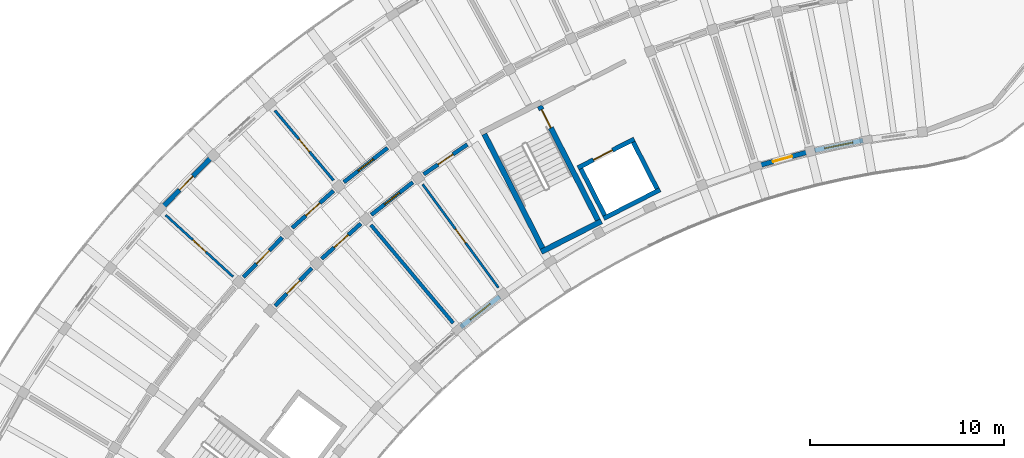
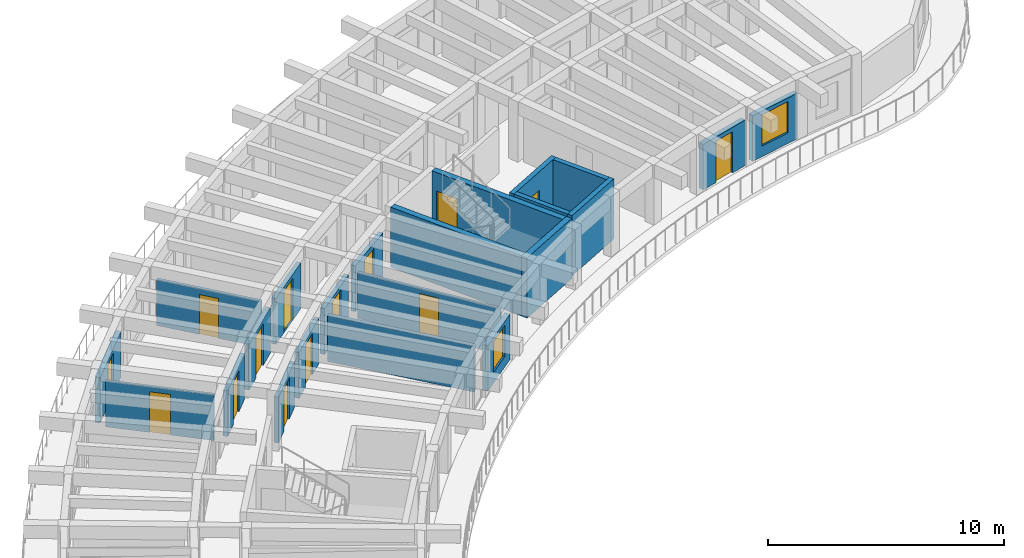
# One storey, part 27 of 56: 22 walls, 14 doors, 2 windows, 16 openings.
"""IFC4 building model written with IfcOpenShell, lengths in metres."""

from ifc_helpers import new_model, si_unit, direction, frame, frame_2d, origin, place, context, subcontext, project, spatial, rectangle, extrude, material, layer, layer_set, type_object, element, fill, save


model = new_model("IFC4")

# Units and contexts
model_context = context("Model", 3, precision=1e-05, world=origin(), true_north=direction((0.0, 1.0)))
body_context = subcontext(model_context, "Body", "Model", "MODEL_VIEW")
ifc_project = project(units=[si_unit("LENGTHUNIT", "METRE"), si_unit("AREAUNIT", "SQUARE_METRE"), si_unit("VOLUMEUNIT", "CUBIC_METRE"), si_unit("PLANEANGLEUNIT", "RADIAN"), si_unit("MASSUNIT", "GRAM", prefix="KILO")], contexts=[model_context])

# Site, building, storey
site_placement = place(None, origin())
site = spatial("IfcSite", under=ifc_project, at=site_placement, CompositionType="ELEMENT")
building_placement = place(site_placement, origin())
building = spatial("IfcBuilding", under=site, at=building_placement, Name="Tanwirah Colonnade Gardens", CompositionType="ELEMENT")
storey_placement = place(building_placement, frame((0.0, 0.0, 29.0)))
storey = spatial("IfcBuildingStorey", under=building, at=storey_placement, Name="L08", CompositionType="ELEMENT", Elevation=29.0)

# Wall, opening, window
ifc_material_1 = material(Name="Limestone architectural precast concrete C40/50", Category="masonry")
ifc_layer_1 = layer(ifc_material_1, 0.2451171875)
ifc_layer_set_1 = layer_set([ifc_layer_1], Name="Limestone architectural precast concrete C40/50")
wall_type_1 = type_object("IfcWallType", Name="EW-PC245", PredefinedType="SOLIDWALL", material=ifc_layer_set_1)
wall_1_placement = place(storey_placement, frame((57.28955078125, 103.970947265625, 0.0), z_axis=(0.0, 0.0, 1.0), x_axis=(-0.979344333802, -0.20219959409, 0.0)))
wall_1 = element("IfcWall", 1, at=wall_1_placement, inside=storey, type_object=wall_type_1, Name="Block A L08 IN Precast Facade Wall 1", PredefinedType="SOLIDWALL", context=body_context, shape_type="SweptSolid", body=[
    extrude(rectangle(XDim=2.545166015625, YDim=0.2451171875, at=frame_2d((1.2724609375, 0.0))), origin(), (0.0, 0.0, 1.0), 2.35498046875),
])
opening_1_placement = place(wall_1_placement, frame((0.53271484375, 0.0, 0.550048828125)))
opening_1 = element("IfcOpeningElement", 2, at=opening_1_placement, cuts=wall_1, Name="Opening WIN-T19", PredefinedType="OPENING", context=body_context, shape_type="SweptSolid", body=[
    extrude(rectangle(XDim=1.47998046875, YDim=1.6201171875, at=frame_2d((0.739990234375, 0.81005859375))), frame((0.0, 0.132568359375, 0.0), z_axis=(0.0, -1.0, 0.0), x_axis=(1.0, 0.0, 0.0)), (0.0, 0.0, 1.0), 0.26513671875),
])
ifc_material_2 = material(Name="Thermally broken bronze aluminium and solar low-E double glazing", Category="aluminium")
window_type_1 = type_object("IfcWindowType", Name="WIN-T19", PartitioningType="DOUBLE_PANEL_VERTICAL", PredefinedType="WINDOW", material=ifc_material_2)
window_1_placement = place(opening_1_placement, origin())
window_1 = element("IfcWindow", 3, at=window_1_placement, inside=storey, type_object=window_type_1, Name="Facade window A-L08-IN-01", OverallHeight=1.6201171875, OverallWidth=1.47998046875, PartitioningType="SINGLE_PANEL", PredefinedType="WINDOW", context=body_context, shape_type="SweptSolid", body=[
    extrude(rectangle(XDim=1.47998046875, YDim=1.6201171875, at=frame_2d((0.739990234375, 0.81005859375))), frame((0.0, 0.030029296875, 0.0), z_axis=(0.0, -1.0, 0.0), x_axis=(1.0, 0.0, 0.0)), (0.0, 0.0, 1.0), 0.06005859375),
])
fill(opening_1, window_1)

# Wall, opening, door
wall_2_placement = place(storey_placement, frame((54.369384765625, 103.353271484375, 0.0), z_axis=(0.0, 0.0, 1.0), x_axis=(-0.963872968618, -0.26636234788, 0.0)))
wall_2 = element("IfcWall", 4, at=wall_2_placement, inside=storey, type_object=wall_type_1, Name="Block A L08 IN Precast Facade Wall 2", PredefinedType="SOLIDWALL", context=body_context, shape_type="SweptSolid", body=[
    extrude(rectangle(XDim=2.54541015625, YDim=0.2451171875, at=frame_2d((1.272705078125, 0.0))), origin(), (0.0, 0.0, 1.0), 2.35498046875),
])
opening_2_placement = place(wall_2_placement, frame((0.7626953125, 0.0, 0.0)))
opening_2 = element("IfcOpeningElement", 5, at=opening_2_placement, cuts=wall_2, Name="Opening L08-ED037", PredefinedType="OPENING", context=body_context, shape_type="SweptSolid", body=[
    extrude(rectangle(XDim=1.02001953125, YDim=2.139892578125, at=frame_2d((0.510009765625, 1.06982421875))), frame((0.0, 0.132568359375, 0.0), z_axis=(0.0, -1.0, 0.0), x_axis=(1.0, 0.0, 0.0)), (0.0, 0.0, 1.0), 0.26513671875),
])
ifc_material_3 = material(Name="Bronze aluminium glazed balcony door", Category="aluminium")
door_type_1 = type_object("IfcDoorType", Name="ED-BAL102", OperationType="NOTDEFINED", PredefinedType="DOOR", material=ifc_material_3)
door_1_placement = place(opening_2_placement, origin())
door_1 = element("IfcDoor", 6, at=door_1_placement, inside=storey, type_object=door_type_1, Name="Balcony glazed door L08-ED037", OperationType="SINGLE_SWING_LEFT", OverallHeight=2.139892578125, OverallWidth=1.02001953125, PredefinedType="DOOR", context=body_context, shape_type="SweptSolid", body=[
    extrude(rectangle(XDim=1.02001953125, YDim=2.139892578125, at=frame_2d((0.510009765625, 1.06982421875))), frame((0.0, 0.02490234375, 0.0), z_axis=(0.0, -1.0, 0.0), x_axis=(1.0, 0.0, 0.0)), (0.0, 0.0, 1.0), 0.050048828125),
])
fill(opening_2, door_1)

# Wall, opening, window
wall_3_placement = place(storey_placement, frame((38.560546875, 95.92333984375, 0.0), z_axis=(0.0, 0.0, 1.0), x_axis=(-0.786840630754, -0.617156237751, 0.0)))
wall_3 = element("IfcWall", 7, at=wall_3_placement, inside=storey, type_object=wall_type_1, Name="Block A L08 IN Precast Facade Wall 8", PredefinedType="SOLIDWALL", context=body_context, shape_type="SweptSolid", body=[
    extrude(rectangle(XDim=2.545166015625, YDim=0.2451171875, at=frame_2d((1.2724609375, 0.0))), origin(), (0.0, 0.0, 1.0), 2.35498046875),
])
opening_3_placement = place(wall_3_placement, frame((0.62255859375, 0.0, 0.550048828125)))
opening_3 = element("IfcOpeningElement", 8, at=opening_3_placement, cuts=wall_3, Name="Opening WIN-T04", PredefinedType="OPENING", context=body_context, shape_type="SweptSolid", body=[
    extrude(rectangle(XDim=1.300048828125, YDim=1.60009765625, at=frame_2d((0.64990234375, 0.800048828125))), frame((0.0, 0.132568359375, 0.0), z_axis=(0.0, -1.0, 0.0), x_axis=(1.0, 0.0, 0.0)), (0.0, 0.0, 1.0), 0.26513671875),
])
window_type_2 = type_object("IfcWindowType", Name="WIN-T04", PartitioningType="DOUBLE_PANEL_VERTICAL", PredefinedType="WINDOW", material=ifc_material_2)
window_2_placement = place(opening_3_placement, origin())
window_2 = element("IfcWindow", 9, at=window_2_placement, inside=storey, type_object=window_type_2, Name="Facade window A-L08-IN-08", OverallHeight=1.60009765625, OverallWidth=1.300048828125, PartitioningType="SINGLE_PANEL", PredefinedType="WINDOW", context=body_context, shape_type="SweptSolid", body=[
    extrude(rectangle(XDim=1.300048828125, YDim=1.60009765625, at=frame_2d((0.64990234375, 0.800048828125))), frame((0.0, 0.030029296875, 0.0), z_axis=(0.0, -1.0, 0.0), x_axis=(1.0, 0.0, 0.0)), (0.0, 0.0, 1.0), 0.06005859375),
])
fill(opening_3, window_2)

# Wall, opening, door
wall_4_placement = place(storey_placement, frame((23.645751953125, 103.03955078125, 0.0), z_axis=(0.0, 0.0, 1.0), x_axis=(-0.698819119584, -0.715298425906, 0.0)))
wall_4 = element("IfcWall", 10, at=wall_4_placement, inside=storey, type_object=wall_type_1, Name="Block A L08 OUT Precast Facade Wall 10", PredefinedType="SOLIDWALL", context=body_context, shape_type="SweptSolid", body=[
    extrude(rectangle(XDim=3.540771484375, YDim=0.2451171875, at=frame_2d((1.7705078125, 0.0))), origin(), (0.0, 0.0, 1.0), 2.35498046875),
])
opening_4_placement = place(wall_4_placement, frame((1.2802734375, 0.0, 0.0)))
opening_4 = element("IfcOpeningElement", 11, at=opening_4_placement, cuts=wall_4, Name="Opening L08-ED039", PredefinedType="OPENING", context=body_context, shape_type="SweptSolid", body=[
    extrude(rectangle(XDim=0.97998046875, YDim=2.1201171875, at=frame_2d((0.489990234375, 1.06005859375))), frame((0.0, 0.132568359375, 0.0), z_axis=(0.0, -1.0, 0.0), x_axis=(1.0, 0.0, 0.0)), (0.0, 0.0, 1.0), 0.26513671875),
])
door_type_2 = type_object("IfcDoorType", Name="ED-BAL098", OperationType="NOTDEFINED", PredefinedType="DOOR", material=ifc_material_3)
door_2_placement = place(opening_4_placement, origin())
door_2 = element("IfcDoor", 12, at=door_2_placement, inside=storey, type_object=door_type_2, Name="Balcony glazed door L08-ED039", OperationType="SINGLE_SWING_LEFT", OverallHeight=2.1201171875, OverallWidth=0.97998046875, PredefinedType="DOOR", context=body_context, shape_type="SweptSolid", body=[
    extrude(rectangle(XDim=0.97998046875, YDim=2.1201171875, at=frame_2d((0.489990234375, 1.06005859375))), frame((0.0, 0.02490234375, 0.0), z_axis=(0.0, -1.0, 0.0), x_axis=(1.0, 0.0, 0.0)), (0.0, 0.0, 1.0), 0.050048828125),
])
fill(opening_4, door_2)

ifc_material_4 = material(Name="Precast concrete C40/50", Category="concrete")
ifc_layer_2 = layer(ifc_material_4, 0.205078125)
ifc_layer_set_2 = layer_set([ifc_layer_2], Name="Precast concrete C40/50")
wall_type_2 = type_object("IfcWallType", Name="IW-CORR205", PredefinedType="PARTITIONING", material=ifc_layer_set_2)
wall_5_placement = place(storey_placement, frame((36.89453125, 103.759521484375, 0.0), z_axis=(0.0, 0.0, 1.0), x_axis=(-0.825752009056, -0.56403334967, 0.0)))
wall_5 = element("IfcWall", 13, at=wall_5_placement, inside=storey, type_object=wall_type_2, Name="Block A L08 IN Corridor Wall 7", PredefinedType="PARTITIONING", context=body_context, shape_type="SweptSolid", body=[
    extrude(rectangle(XDim=2.71826171875, YDim=0.205078125, at=frame_2d((1.359130859375, 0.0))), origin(), (0.0, 0.0, 1.0), 2.3701171875),
])
opening_5_placement = place(wall_5_placement, frame((0.89404296875, 0.0, 0.0)))
opening_5 = element("IfcOpeningElement", 14, at=opening_5_placement, cuts=wall_5, Name="Opening L08-AD573", PredefinedType="OPENING", context=body_context, shape_type="SweptSolid", body=[
    extrude(rectangle(XDim=0.929931640625, YDim=2.1201171875, at=frame_2d((0.46484375, 1.06005859375))), frame((0.0, 0.112548828125, 0.0), z_axis=(0.0, -1.0, 0.0), x_axis=(1.0, 0.0, 0.0)), (0.0, 0.0, 1.0), 0.22509765625),
])
ifc_material_5 = material(Name="Solid oak fire-resisting apartment entrance door")
door_type_3 = type_object("IfcDoorType", Name="ID-FLT093", OperationType="NOTDEFINED", PredefinedType="DOOR", material=ifc_material_5)
door_3_placement = place(opening_5_placement, origin())
door_3 = element("IfcDoor", 15, at=door_3_placement, inside=storey, type_object=door_type_3, Name="Apartment corridor door L08-AD573", OperationType="SINGLE_SWING_LEFT", OverallHeight=2.1201171875, OverallWidth=0.929931640625, PredefinedType="DOOR", context=body_context, shape_type="SweptSolid", body=[
    extrude(rectangle(XDim=0.929931640625, YDim=2.1201171875, at=frame_2d((0.46484375, 1.06005859375))), frame((0.0, 0.02490234375, 0.0), z_axis=(0.0, -1.0, 0.0), x_axis=(1.0, 0.0, 0.0)), (0.0, 0.0, 1.0), 0.050048828125),
])
fill(opening_5, door_3)

wall_6_placement = place(storey_placement, frame((32.785400390625, 103.587890625, 0.0), z_axis=(0.0, 0.0, 1.0), x_axis=(-0.786806323554, -0.617199975061, 0.0)))
wall_6 = element("IfcWall", 16, at=wall_6_placement, inside=storey, type_object=wall_type_2, Name="Block A L08 OUT Corridor Wall 8", PredefinedType="PARTITIONING", context=body_context, shape_type="SweptSolid", body=[
    extrude(rectangle(XDim=2.863037109375, YDim=0.205078125, at=frame_2d((1.431640625, 0.0))), origin(), (0.0, 0.0, 1.0), 2.3701171875),
])
opening_6_placement = place(wall_6_placement, frame((0.9365234375, 0.0, 0.0)))
opening_6 = element("IfcOpeningElement", 17, at=opening_6_placement, cuts=wall_6, Name="Opening L08-AD575", PredefinedType="OPENING", context=body_context, shape_type="SweptSolid", body=[
    extrude(rectangle(XDim=0.989990234375, YDim=2.159912109375, at=frame_2d((0.4951171875, 1.080078125))), frame((0.0, 0.112548828125, 0.0), z_axis=(0.0, -1.0, 0.0), x_axis=(1.0, 0.0, 0.0)), (0.0, 0.0, 1.0), 0.22509765625),
])
door_type_4 = type_object("IfcDoorType", Name="ID-FLT099", OperationType="NOTDEFINED", PredefinedType="DOOR", material=ifc_material_5)
door_4_placement = place(opening_6_placement, origin())
door_4 = element("IfcDoor", 18, at=door_4_placement, inside=storey, type_object=door_type_4, Name="Apartment corridor door L08-AD575", OperationType="SINGLE_SWING_LEFT", OverallHeight=2.159912109375, OverallWidth=0.989990234375, PredefinedType="DOOR", context=body_context, shape_type="SweptSolid", body=[
    extrude(rectangle(XDim=0.989990234375, YDim=2.159912109375, at=frame_2d((0.4951171875, 1.080078125))), frame((0.0, 0.02490234375, 0.0), z_axis=(0.0, -1.0, 0.0), x_axis=(1.0, 0.0, 0.0)), (0.0, 0.0, 1.0), 0.050048828125),
])
fill(opening_6, door_4)

wall_7_placement = place(storey_placement, frame((34.08544921875, 101.81298828125, 0.0), z_axis=(0.0, 0.0, 1.0), x_axis=(-0.786835457019, -0.617162833924, 0.0)))
wall_7 = element("IfcWall", 19, at=wall_7_placement, inside=storey, type_object=wall_type_2, Name="Block A L08 IN Corridor Wall 8", PredefinedType="PARTITIONING", context=body_context, shape_type="SweptSolid", body=[
    extrude(rectangle(XDim=2.718017578125, YDim=0.205078125, at=frame_2d((1.35888671875, 0.0))), origin(), (0.0, 0.0, 1.0), 2.3701171875),
])
opening_7_placement = place(wall_7_placement, frame((0.864013671875, 0.0, 0.0)))
opening_7 = element("IfcOpeningElement", 20, at=opening_7_placement, cuts=wall_7, Name="Opening L08-AD576", PredefinedType="OPENING", context=body_context, shape_type="SweptSolid", body=[
    extrude(rectangle(XDim=0.989990234375, YDim=2.159912109375, at=frame_2d((0.4951171875, 1.080078125))), frame((0.0, 0.112548828125, 0.0), z_axis=(0.0, -1.0, 0.0), x_axis=(1.0, 0.0, 0.0)), (0.0, 0.0, 1.0), 0.22509765625),
])
door_5_placement = place(opening_7_placement, origin())
door_5 = element("IfcDoor", 21, at=door_5_placement, inside=storey, type_object=door_type_4, Name="Apartment corridor door L08-AD576", OperationType="SINGLE_SWING_RIGHT", OverallHeight=2.159912109375, OverallWidth=0.989990234375, PredefinedType="DOOR", context=body_context, shape_type="SweptSolid", body=[
    extrude(rectangle(XDim=0.989990234375, YDim=2.159912109375, at=frame_2d((0.4951171875, 1.080078125))), frame((0.0, 0.02490234375, 0.0), z_axis=(0.0, -1.0, 0.0), x_axis=(1.0, 0.0, 0.0)), (0.0, 0.0, 1.0), 0.050048828125),
])
fill(opening_7, door_5)

wall_8_placement = place(storey_placement, frame((29.996826171875, 101.37109375, 0.0), z_axis=(0.0, 0.0, 1.0), x_axis=(-0.744433521088, -0.667696587291, 0.0)))
wall_8 = element("IfcWall", 22, at=wall_8_placement, inside=storey, type_object=wall_type_2, Name="Block A L08 OUT Corridor Wall 9", PredefinedType="PARTITIONING", context=body_context, shape_type="SweptSolid", body=[
    extrude(rectangle(XDim=2.86328125, YDim=0.205078125, at=frame_2d((1.431640625, 0.0))), origin(), (0.0, 0.0, 1.0), 2.3701171875),
])
opening_8_placement = place(wall_8_placement, frame((0.946533203125, 0.0, 0.0)))
opening_8 = element("IfcOpeningElement", 23, at=opening_8_placement, cuts=wall_8, Name="Opening L08-AD578", PredefinedType="OPENING", context=body_context, shape_type="SweptSolid", body=[
    extrude(rectangle(XDim=0.969970703125, YDim=2.14990234375, at=frame_2d((0.48486328125, 1.074951171875))), frame((0.0, 0.112548828125, 0.0), z_axis=(0.0, -1.0, 0.0), x_axis=(1.0, 0.0, 0.0)), (0.0, 0.0, 1.0), 0.22509765625),
])
door_type_5 = type_object("IfcDoorType", Name="ID-FLT097", OperationType="NOTDEFINED", PredefinedType="DOOR", material=ifc_material_5)
door_6_placement = place(opening_8_placement, origin())
door_6 = element("IfcDoor", 24, at=door_6_placement, inside=storey, type_object=door_type_5, Name="Apartment corridor door L08-AD578", OperationType="SINGLE_SWING_RIGHT", OverallHeight=2.14990234375, OverallWidth=0.969970703125, PredefinedType="DOOR", context=body_context, shape_type="SweptSolid", body=[
    extrude(rectangle(XDim=0.969970703125, YDim=2.14990234375, at=frame_2d((0.48486328125, 1.074951171875))), frame((0.0, 0.02490234375, 0.0), z_axis=(0.0, -1.0, 0.0), x_axis=(1.0, 0.0, 0.0)), (0.0, 0.0, 1.0), 0.050048828125),
])
fill(opening_8, door_6)

wall_9_placement = place(storey_placement, frame((31.410888671875, 99.685791015625, 0.0), z_axis=(0.0, 0.0, 1.0), x_axis=(-0.744418559135, -0.667713268413, 0.0)))
wall_9 = element("IfcWall", 25, at=wall_9_placement, inside=storey, type_object=wall_type_2, Name="Block A L08 IN Corridor Wall 9", PredefinedType="PARTITIONING", context=body_context, shape_type="SweptSolid", body=[
    extrude(rectangle(XDim=2.71826171875, YDim=0.205078125, at=frame_2d((1.359130859375, 0.0))), origin(), (0.0, 0.0, 1.0), 2.3701171875),
])
opening_9_placement = place(wall_9_placement, frame((0.8740234375, 0.0, 0.0)))
opening_9 = element("IfcOpeningElement", 26, at=opening_9_placement, cuts=wall_9, Name="Opening L08-AD579", PredefinedType="OPENING", context=body_context, shape_type="SweptSolid", body=[
    extrude(rectangle(XDim=0.969970703125, YDim=2.14990234375, at=frame_2d((0.48486328125, 1.074951171875))), frame((0.0, 0.112548828125, 0.0), z_axis=(0.0, -1.0, 0.0), x_axis=(1.0, 0.0, 0.0)), (0.0, 0.0, 1.0), 0.22509765625),
])
door_7_placement = place(opening_9_placement, origin())
door_7 = element("IfcDoor", 27, at=door_7_placement, inside=storey, type_object=door_type_5, Name="Apartment corridor door L08-AD579", OperationType="SINGLE_SWING_LEFT", OverallHeight=2.14990234375, OverallWidth=0.969970703125, PredefinedType="DOOR", context=body_context, shape_type="SweptSolid", body=[
    extrude(rectangle(XDim=0.969970703125, YDim=2.14990234375, at=frame_2d((0.48486328125, 1.074951171875))), frame((0.0, 0.02490234375, 0.0), z_axis=(0.0, -1.0, 0.0), x_axis=(1.0, 0.0, 0.0)), (0.0, 0.0, 1.0), 0.050048828125),
])
fill(opening_9, door_7)

wall_10_placement = place(storey_placement, frame((27.360107421875, 98.975341796875, 0.0), z_axis=(0.0, 0.0, 1.0), x_axis=(-0.698787219683, -0.715329589496, 0.0)))
wall_10 = element("IfcWall", 28, at=wall_10_placement, inside=storey, type_object=wall_type_2, Name="Block A L08 OUT Corridor Wall 10", PredefinedType="PARTITIONING", context=body_context, shape_type="SweptSolid", body=[
    extrude(rectangle(XDim=2.863037109375, YDim=0.205078125, at=frame_2d((1.431640625, 0.0))), origin(), (0.0, 0.0, 1.0), 2.3701171875),
])
opening_10_placement = place(wall_10_placement, frame((0.95654296875, 0.0, 0.0)))
opening_10 = element("IfcOpeningElement", 29, at=opening_10_placement, cuts=wall_10, Name="Opening L08-AD580", PredefinedType="OPENING", context=body_context, shape_type="SweptSolid", body=[
    extrude(rectangle(XDim=0.949951171875, YDim=2.1298828125, at=frame_2d((0.47509765625, 1.06494140625))), frame((0.0, 0.112548828125, 0.0), z_axis=(0.0, -1.0, 0.0), x_axis=(1.0, 0.0, 0.0)), (0.0, 0.0, 1.0), 0.22509765625),
])
door_type_6 = type_object("IfcDoorType", Name="ID-FLT095", OperationType="NOTDEFINED", PredefinedType="DOOR", material=ifc_material_5)
door_8_placement = place(opening_10_placement, origin())
door_8 = element("IfcDoor", 30, at=door_8_placement, inside=storey, type_object=door_type_6, Name="Apartment corridor door L08-AD580", OperationType="SINGLE_SWING_LEFT", OverallHeight=2.1298828125, OverallWidth=0.949951171875, PredefinedType="DOOR", context=body_context, shape_type="SweptSolid", body=[
    extrude(rectangle(XDim=0.949951171875, YDim=2.1298828125, at=frame_2d((0.47509765625, 1.06494140625))), frame((0.0, 0.02490234375, 0.0), z_axis=(0.0, -1.0, 0.0), x_axis=(1.0, 0.0, 0.0)), (0.0, 0.0, 1.0), 0.050048828125),
])
fill(opening_10, door_8)

wall_11_placement = place(storey_placement, frame((28.88232421875, 97.38671875, 0.0), z_axis=(0.0, 0.0, 1.0), x_axis=(-0.698840007829, -0.715278018296, 0.0)))
wall_11 = element("IfcWall", 31, at=wall_11_placement, inside=storey, type_object=wall_type_2, Name="Block A L08 IN Corridor Wall 10", PredefinedType="PARTITIONING", context=body_context, shape_type="SweptSolid", body=[
    extrude(rectangle(XDim=2.718017578125, YDim=0.205078125, at=frame_2d((1.35888671875, 0.0))), origin(), (0.0, 0.0, 1.0), 2.3701171875),
])
opening_11_placement = place(wall_11_placement, frame((0.884033203125, 0.0, 0.0)))
opening_11 = element("IfcOpeningElement", 32, at=opening_11_placement, cuts=wall_11, Name="Opening L08-AD581", PredefinedType="OPENING", context=body_context, shape_type="SweptSolid", body=[
    extrude(rectangle(XDim=0.949951171875, YDim=2.1298828125, at=frame_2d((0.47509765625, 1.06494140625))), frame((0.0, 0.112548828125, 0.0), z_axis=(0.0, -1.0, 0.0), x_axis=(1.0, 0.0, 0.0)), (0.0, 0.0, 1.0), 0.22509765625),
])
door_9_placement = place(opening_11_placement, origin())
door_9 = element("IfcDoor", 33, at=door_9_placement, inside=storey, type_object=door_type_6, Name="Apartment corridor door L08-AD581", OperationType="SINGLE_SWING_RIGHT", OverallHeight=2.1298828125, OverallWidth=0.949951171875, PredefinedType="DOOR", context=body_context, shape_type="SweptSolid", body=[
    extrude(rectangle(XDim=0.949951171875, YDim=2.1298828125, at=frame_2d((0.47509765625, 1.06494140625))), frame((0.0, 0.02490234375, 0.0), z_axis=(0.0, -1.0, 0.0), x_axis=(1.0, 0.0, 0.0)), (0.0, 0.0, 1.0), 0.050048828125),
])
fill(opening_11, door_9)

# Wall
ifc_layer_3 = layer(ifc_material_4, 0.18505859375)
ifc_layer_set_3 = layer_set([ifc_layer_3], Name="Precast concrete C40/50")
wall_type_3 = type_object("IfcWallType", Name="IW-DEM185", PredefinedType="PARTITIONING", material=ifc_layer_set_3)
wall_12_placement = place(storey_placement, frame((36.1708984375, 94.55712890625, 0.0), z_axis=(0.0, 0.0, 1.0), x_axis=(-0.642789470807, 0.766042881449, 0.0)))
element("IfcWall", 34, at=wall_12_placement, inside=storey, type_object=wall_type_3, Name="Block A L08 Inner Radial Partition 8", PredefinedType="PARTITIONING", context=body_context, shape_type="SweptSolid", body=[
    extrude(rectangle(XDim=6.60009765625, YDim=0.18505859375, at=frame_2d((3.300048828125, 0.0))), origin(), (0.0, 0.0, 1.0), 2.3701171875),
])

# Wall, opening, door
ifc_material_6 = material(Name="Moisture-resistant gypsum stud partition")
ifc_layer_4 = layer(ifc_material_6, 0.125)
ifc_layer_set_4 = layer_set([ifc_layer_4], Name="Moisture-resistant gypsum stud partition")
wall_type_4 = type_object("IfcWallType", Name="IW-INT125", PredefinedType="PARTITIONING", material=ifc_layer_set_4)
wall_13_placement = place(storey_placement, frame((38.497314453125, 96.3818359375, 0.0), z_axis=(0.0, 0.0, 1.0), x_axis=(-0.590924179316, 0.806727100263, 0.0)))
wall_13 = element("IfcWall", 35, at=wall_13_placement, inside=storey, type_object=wall_type_4, Name="Block A L08 Inner Radial Partition 7", PredefinedType="PARTITIONING", context=body_context, shape_type="SweptSolid", body=[
    extrude(rectangle(XDim=6.60009765625, YDim=0.125, at=frame_2d((3.300048828125, 0.0))), origin(), (0.0, 0.0, 1.0), 2.3701171875),
])
opening_12_placement = place(wall_13_placement, frame((2.85498046875, 0.0, 0.0)))
opening_12 = element("IfcOpeningElement", 36, at=opening_12_placement, cuts=wall_13, Name="Opening L08-RD574", PredefinedType="OPENING", context=body_context, shape_type="SweptSolid", body=[
    extrude(rectangle(XDim=0.889892578125, YDim=2.10009765625, at=frame_2d((0.44482421875, 1.050048828125))), frame((0.0, 0.072509765625, 0.0), z_axis=(0.0, -1.0, 0.0), x_axis=(1.0, 0.0, 0.0)), (0.0, 0.0, 1.0), 0.14501953125),
])
ifc_material_7 = material(Name="Painted hardwood bedroom door", Category="wood")
door_type_7 = type_object("IfcDoorType", Name="ID-RM089", OperationType="NOTDEFINED", PredefinedType="DOOR", material=ifc_material_7)
door_10_placement = place(opening_12_placement, origin())
door_10 = element("IfcDoor", 37, at=door_10_placement, inside=storey, type_object=door_type_7, Name="Internal apartment door L08-RD574", OperationType="SINGLE_SWING_LEFT", OverallHeight=2.10009765625, OverallWidth=0.889892578125, PredefinedType="DOOR", context=body_context, shape_type="SweptSolid", body=[
    extrude(rectangle(XDim=0.889892578125, YDim=2.10009765625, at=frame_2d((0.44482421875, 1.050048828125))), frame((0.0, 0.02490234375, 0.0), z_axis=(0.0, -1.0, 0.0), x_axis=(1.0, 0.0, 0.0)), (0.0, 0.0, 1.0), 0.050048828125),
])
fill(opening_12, door_10)

wall_14_placement = place(storey_placement, frame((24.819580078125, 96.947021484375, 0.0), z_axis=(0.0, 0.0, 1.0), x_axis=(-0.737934199263, 0.674872667663, 0.0)))
wall_14 = element("IfcWall", 38, at=wall_14_placement, inside=storey, type_object=wall_type_4, Name="Block A L08 Radial Partition 10", PredefinedType="PARTITIONING", context=body_context, shape_type="SweptSolid", body=[
    extrude(rectangle(XDim=4.699951171875, YDim=0.125, at=frame_2d((2.35009765625, 0.0))), origin(), (0.0, 0.0, 1.0), 2.3701171875),
])
opening_13_placement = place(wall_14_placement, frame((1.89501953125, 0.0, 0.0)))
opening_13 = element("IfcOpeningElement", 39, at=opening_13_placement, cuts=wall_14, Name="Opening L08-RD582", PredefinedType="OPENING", context=body_context, shape_type="SweptSolid", body=[
    extrude(rectangle(XDim=0.909912109375, YDim=2.10009765625, at=frame_2d((0.455078125, 1.050048828125))), frame((0.0, 0.072509765625, 0.0), z_axis=(0.0, -1.0, 0.0), x_axis=(1.0, 0.0, 0.0)), (0.0, 0.0, 1.0), 0.14501953125),
])
ifc_material_8 = material(Name="Painted hardwood internal room door", Category="wood")
door_type_8 = type_object("IfcDoorType", Name="ID-RM091", OperationType="NOTDEFINED", PredefinedType="DOOR", material=ifc_material_8)
door_11_placement = place(opening_13_placement, origin())
door_11 = element("IfcDoor", 40, at=door_11_placement, inside=storey, type_object=door_type_8, Name="Internal apartment door L08-RD582", OperationType="SINGLE_SWING_LEFT", OverallHeight=2.10009765625, OverallWidth=0.909912109375, PredefinedType="DOOR", context=body_context, shape_type="SweptSolid", body=[
    extrude(rectangle(XDim=0.909912109375, YDim=2.10009765625, at=frame_2d((0.455078125, 1.050048828125))), frame((0.0, 0.02490234375, 0.0), z_axis=(0.0, -1.0, 0.0), x_axis=(1.0, 0.0, 0.0)), (0.0, 0.0, 1.0), 0.050048828125),
])
fill(opening_13, door_11)

ifc_material_9 = material(Name="Water-resistant acoustic plumbing partition")
ifc_layer_5 = layer(ifc_material_9, 0.139892578125)
ifc_layer_set_5 = layer_set([ifc_layer_5], Name="Water-resistant acoustic plumbing partition")
wall_type_5 = type_object("IfcWallType", Name="IW-WET140", PredefinedType="PLUMBINGWALL", material=ifc_layer_set_5)
wall_15_placement = place(storey_placement, frame((30.000244140625, 101.9111328125, 0.0), z_axis=(0.0, 0.0, 1.0), x_axis=(-0.642811926223, 0.766024038465, 0.0)))
wall_15 = element("IfcWall", 41, at=wall_15_placement, inside=storey, type_object=wall_type_5, Name="Block A L08 Radial Partition 8", PredefinedType="PLUMBINGWALL", context=body_context, shape_type="SweptSolid", body=[
    extrude(rectangle(XDim=4.699951171875, YDim=0.139892578125, at=frame_2d((2.35009765625, 0.0))), origin(), (0.0, 0.0, 1.0), 2.3701171875),
])
opening_14_placement = place(wall_15_placement, frame((1.919921875, 0.0, 0.0)))
opening_14 = element("IfcOpeningElement", 42, at=opening_14_placement, cuts=wall_15, Name="Opening L08-RD577", PredefinedType="OPENING", context=body_context, shape_type="SweptSolid", body=[
    extrude(rectangle(XDim=0.860107421875, YDim=2.06005859375, at=frame_2d((0.43017578125, 1.030029296875))), frame((0.0, 0.079833984375, 0.0), z_axis=(0.0, -1.0, 0.0), x_axis=(1.0, 0.0, 0.0)), (0.0, 0.0, 1.0), 0.159912109375),
])
ifc_material_10 = material(Name="Moisture-resistant bathroom door")
door_type_9 = type_object("IfcDoorType", Name="ID-WET086", OperationType="NOTDEFINED", PredefinedType="DOOR", material=ifc_material_10)
door_12_placement = place(opening_14_placement, origin())
door_12 = element("IfcDoor", 43, at=door_12_placement, inside=storey, type_object=door_type_9, Name="Internal apartment door L08-RD577", OperationType="SINGLE_SWING_LEFT", OverallHeight=2.06005859375, OverallWidth=0.860107421875, PredefinedType="DOOR", context=body_context, shape_type="SweptSolid", body=[
    extrude(rectangle(XDim=0.860107421875, YDim=2.06005859375, at=frame_2d((0.43017578125, 1.030029296875))), frame((0.0, 0.02490234375, 0.0), z_axis=(0.0, -1.0, 0.0), x_axis=(1.0, 0.0, 0.0)), (0.0, 0.0, 1.0), 0.050048828125),
])
fill(opening_14, door_12)

# Walls
ifc_material_11 = material(Name="Concrete C45/55", Category="concrete")
ifc_layer_6 = layer(ifc_material_11, 0.280029296875)
ifc_layer_set_6 = layer_set([ifc_layer_6], Name="Concrete C45/55")
wall_type_6 = type_object("IfcWallType", Name="SW-CORE280", PredefinedType="SHEAR", material=ifc_layer_set_6)
wall_16_placement = place(storey_placement, frame((37.7734375, 104.295654296875, 0.0), z_axis=(0.0, 0.0, 1.0), x_axis=(0.453992276384, -0.891005618941, 0.0)))
element("IfcWall", 44, at=wall_16_placement, inside=storey, type_object=wall_type_6, Name="CORE-A1 L08 Stair Shaft Shear Wall LEFT", PredefinedType="SHEAR", context=body_context, shape_type="SweptSolid", body=[
    extrude(rectangle(XDim=6.599853515625, YDim=0.280029296875, at=frame_2d((3.2998046875, 0.0))), origin(), (0.0, 0.0, 1.0), 3.110107421875),
])
wall_17_placement = place(storey_placement, frame((40.708740234375, 98.2265625, 0.0), z_axis=(0.0, 0.0, 1.0), x_axis=(0.891005763861, 0.453991991964, 0.0)))
element("IfcWall", 45, at=wall_17_placement, inside=storey, type_object=wall_type_6, Name="CORE-A1 L08 Stair Shaft Shear Wall FAR", PredefinedType="SHEAR", context=body_context, shape_type="SweptSolid", body=[
    extrude(rectangle(XDim=3.47998046875, YDim=0.280029296875, at=frame_2d((1.739990234375, 0.0))), origin(), (0.0, 0.0, 1.0), 3.110107421875),
])

# Wall, opening, door
wall_18_placement = place(storey_placement, frame((40.624755859375, 105.748291015625, 0.0), z_axis=(0.0, 0.0, 1.0), x_axis=(0.453992276384, -0.891005618941, 0.0)))
wall_18 = element("IfcWall", 46, at=wall_18_placement, inside=storey, type_object=wall_type_6, Name="CORE-A1 L08 Stair Shaft Shear Wall RIGHT", PredefinedType="SHEAR", context=body_context, shape_type="SweptSolid", body=[
    extrude(rectangle(XDim=6.599853515625, YDim=0.280029296875, at=frame_2d((3.2998046875, 0.0))), origin(), (0.0, 0.0, 1.0), 3.110107421875),
])
opening_15_placement = place(wall_18_placement, frame((0.219970703125, 0.0, 0.0)))
opening_15 = element("IfcOpeningElement", 47, at=opening_15_placement, cuts=wall_18, Name="Opening L08-SD010", PredefinedType="OPENING", context=body_context, shape_type="SweptSolid", body=[
    extrude(rectangle(XDim=1.050048828125, YDim=2.14990234375, at=frame_2d((0.52490234375, 1.074951171875))), frame((0.0, 0.14990234375, 0.0), z_axis=(0.0, -1.0, 0.0), x_axis=(1.0, 0.0, 0.0)), (0.0, 0.0, 1.0), 0.300048828125),
])
ifc_material_12 = material(Name="Steel fire-resisting stair enclosure door", Category="steel")
door_type_10 = type_object("IfcDoorType", Name="ID-ST105", OperationType="NOTDEFINED", PredefinedType="DOOR", material=ifc_material_12)
door_13_placement = place(opening_15_placement, origin())
door_13 = element("IfcDoor", 48, at=door_13_placement, inside=storey, type_object=door_type_10, Name="CORE-A1 L08 Stair Fire Door L08-SD010", OperationType="SINGLE_SWING_LEFT", OverallHeight=2.14990234375, OverallWidth=1.050048828125, PredefinedType="DOOR", context=body_context, shape_type="SweptSolid", body=[
    extrude(rectangle(XDim=1.050048828125, YDim=2.14990234375, at=frame_2d((0.52490234375, 1.074951171875))), frame((0.0, 0.02490234375, 0.0), z_axis=(0.0, -1.0, 0.0), x_axis=(1.0, 0.0, 0.0)), (0.0, 0.0, 1.0), 0.050048828125),
])
fill(opening_15, door_13)

ifc_layer_7 = layer(ifc_material_11, 0.22998046875)
ifc_layer_set_7 = layer_set([ifc_layer_7], Name="Concrete C45/55")
wall_type_7 = type_object("IfcWallType", Name="SW-LIFT230", PredefinedType="SHEAR", material=ifc_layer_set_7)
wall_19_placement = place(storey_placement, frame((42.5966796875, 102.561279296875, 0.0), z_axis=(0.0, 0.0, 1.0), x_axis=(0.891001200497, 0.454000947921, 0.0)))
wall_19 = element("IfcWall", 49, at=wall_19_placement, inside=storey, type_object=wall_type_7, Name="CORE-A1 L08 Lift Shaft Wall FRONT", PredefinedType="SHEAR", context=body_context, shape_type="SweptSolid", body=[
    extrude(rectangle(XDim=3.259765625, YDim=0.22998046875, at=frame_2d((1.6298828125, 0.0))), origin(), (0.0, 0.0, 1.0), 3.110107421875),
])
opening_16_placement = place(wall_19_placement, frame((0.89990234375, 0.0, 0.0)))
opening_16 = element("IfcOpeningElement", 50, at=opening_16_placement, cuts=wall_19, Name="Opening L08-LD-FL-A1", PredefinedType="OPENING", context=body_context, shape_type="SweptSolid", body=[
    extrude(rectangle(XDim=1.10009765625, YDim=2.14990234375, at=frame_2d((0.550048828125, 1.074951171875))), frame((0.0, 0.125, 0.0), z_axis=(0.0, -1.0, 0.0), x_axis=(1.0, 0.0, 0.0)), (0.0, 0.0, 1.0), 0.25),
])
ifc_material_13 = material(Name="Stainless steel sliding fire lift landing door", Category="steel")
door_type_11 = type_object("IfcDoorType", Name="LD-FF11", OperationType="DOUBLE_DOOR_SLIDING", PredefinedType="DOOR", material=ifc_material_13)
door_14_placement = place(opening_16_placement, origin())
door_14 = element("IfcDoor", 51, at=door_14_placement, inside=storey, type_object=door_type_11, Name="Lift FL-A1 L08 Sliding Landing Door", OperationType="DOUBLE_DOOR_SLIDING", OverallHeight=2.14990234375, OverallWidth=1.10009765625, PredefinedType="DOOR", context=body_context, shape_type="SweptSolid", body=[
    extrude(rectangle(XDim=1.10009765625, YDim=2.14990234375, at=frame_2d((0.550048828125, 1.074951171875))), frame((0.0, 0.02490234375, 0.0), z_axis=(0.0, -1.0, 0.0), x_axis=(1.0, 0.0, 0.0)), (0.0, 0.0, 1.0), 0.050048828125),
])
fill(opening_16, door_14)

# Walls
wall_20_placement = place(storey_placement, frame((43.9267578125, 99.950439453125, 0.0), z_axis=(0.0, 0.0, 1.0), x_axis=(0.891016635648, 0.453970654337, 0.0)))
element("IfcWall", 52, at=wall_20_placement, inside=storey, type_object=wall_type_7, Name="CORE-A1 L08 Lift Shaft Wall BACK", PredefinedType="SHEAR", context=body_context, shape_type="SweptSolid", body=[
    extrude(rectangle(XDim=3.260009765625, YDim=0.22998046875, at=frame_2d((1.6298828125, 0.0))), origin(), (0.0, 0.0, 1.0), 3.110107421875),
])
for number, where, z_axis, x_axis, name in (
    (53, (42.751220703125, 102.510986328125, 0.0), (0.0, 0.0, 1.0), (0.454000278178, -0.891001541758, 0.0), "CORE-A1 L08 Lift Shaft Wall SIDEA"),
    (54, (45.450927734375, 103.886474609375, 0.0), (0.0, 0.0, 1.0), (0.454000278178, -0.891001541758, 0.0), "CORE-A1 L08 Lift Shaft Wall SIDEB"),
):
    element("IfcWall", number, at=place(storey_placement, frame(where, z_axis=z_axis, x_axis=x_axis)), inside=storey, type_object=wall_type_7, Name=name, PredefinedType="SHEAR", context=body_context, shape_type="SweptSolid", body=[
        extrude(rectangle(XDim=2.699951171875, YDim=0.22998046875, at=frame_2d((1.35009765625, 0.0))), origin(), (0.0, 0.0, 1.0), 3.110107421875),
    ])

save(model, "model.ifc")
